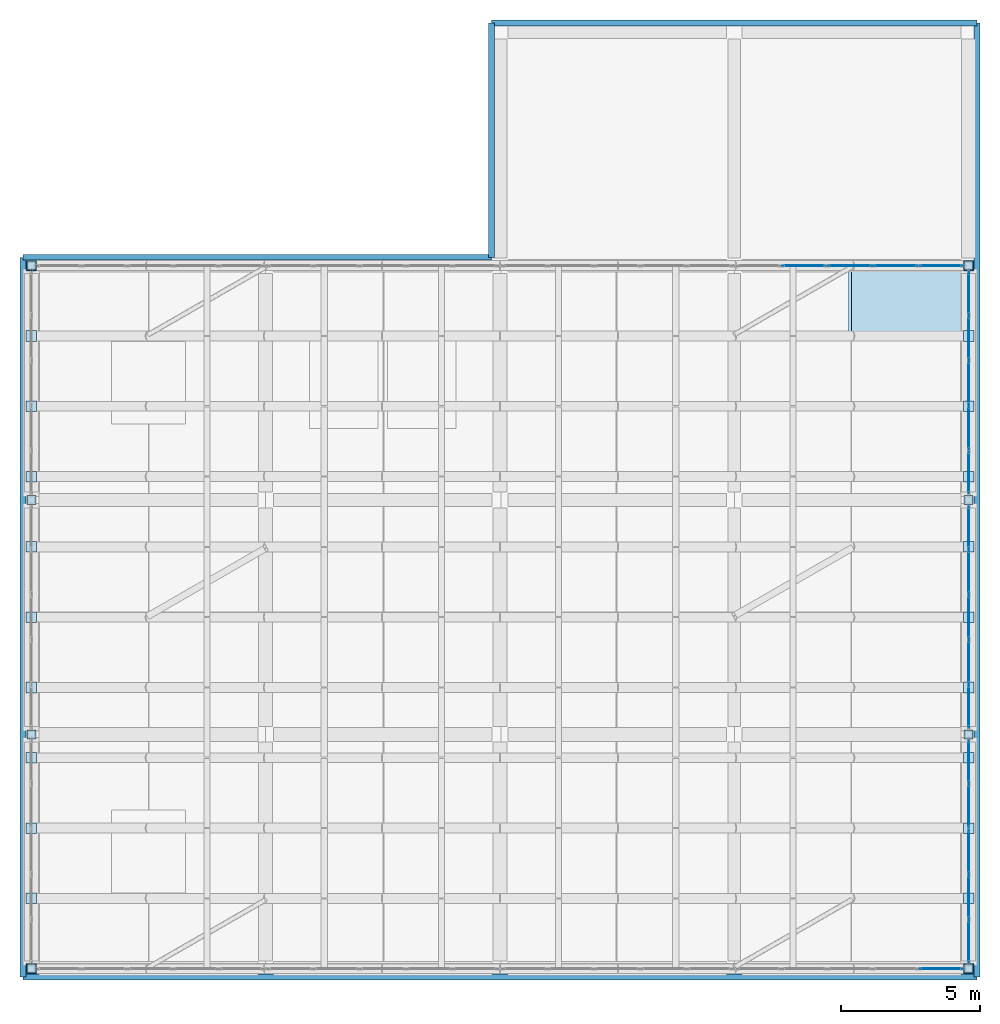
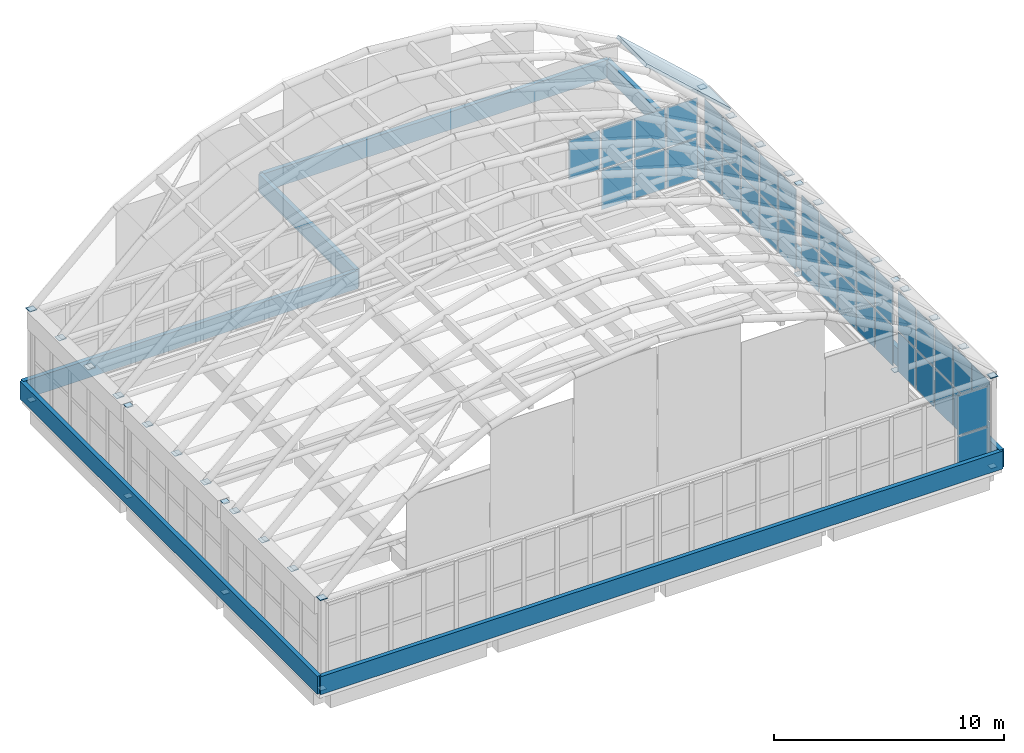
# One storey, part 25 of 26: 77 plates, 6 walls, 1 slab, 5 elements without a shape of their own.
"""IFC4 building model written with IfcOpenShell, lengths in metres."""

from ifc_helpers import new_model, si_unit, direction, frame, frame_2d, origin, origin_2d, place, context, subcontext, project, spatial, polyline, rectangle, outline, extrude, material, layer, layer_set, type_object, element, aggregate, save


model = new_model("IFC4")

# Units and contexts
model_context = context("Model", 3, precision=1e-05, world=origin(), true_north=direction((0.0, 1.0)))
body_context = subcontext(model_context, "Body", "Model", "MODEL_VIEW")
ifc_project = project(units=[si_unit("LENGTHUNIT", "METRE"), si_unit("AREAUNIT", "SQUARE_METRE"), si_unit("VOLUMEUNIT", "CUBIC_METRE"), si_unit("PLANEANGLEUNIT", "RADIAN"), si_unit("MASSUNIT", "GRAM", prefix="KILO")], contexts=[model_context])

# Site, building, storey
site_placement = place(None, origin())
site = spatial("IfcSite", under=ifc_project, at=site_placement, CompositionType="ELEMENT")
building_placement = place(site_placement, origin())
building = spatial("IfcBuilding", under=site, at=building_placement, Name="Xazarin Passage Department Store", CompositionType="ELEMENT")
storey_placement = place(building_placement, frame((0.0, 0.0, 36.89990234375)))
storey = spatial("IfcBuildingStorey", under=building, at=storey_placement, Name="RF", CompositionType="ELEMENT", Elevation=36.89990234375)

# Curtain wall, plates
ifc_material_1 = material(Name="Bronze anodised aluminium", Category="aluminium")
ifc_layer_1 = layer(ifc_material_1, 0.199951171875)
ifc_layer_set_1 = layer_set([ifc_layer_1], Name="Bronze anodised aluminium")
curtain_wall_type = type_object("IfcCurtainWallType", Name="ARC-CW-VIT2", PredefinedType="NOTDEFINED", material=ifc_layer_set_1)
curtain_wall_1_placement = place(storey_placement, origin())
curtain_wall_1 = element("IfcCurtainWall", 1, at=curtain_wall_1_placement, inside=storey, type_object=curtain_wall_type, Name="RF V1 Atrium Lantern Curtain Wall 02", PredefinedType="NOTDEFINED")
ifc_material_2 = material(Name="Low-E laminated safety glass", Category="glass")
ifc_layer_2 = layer(ifc_material_2, 0.031982421875)
ifc_layer_set_2 = layer_set([ifc_layer_2], Name="Low-E laminated safety glass")
plate_type_1 = type_object("IfcPlateType", Name="ARC-CWP-GLZ32", PredefinedType="CURTAIN_PANEL", material=ifc_layer_set_2)
plate_1_placement = place(storey_placement, frame((33.60009765625, 77.38671875, 0.0751953125), z_axis=(0.0, 0.0, 1.0), x_axis=(0.0, 1.0, 0.0)))
plate_1 = element("IfcPlate", 2, at=plate_1_placement, type_object=plate_type_1, Name="CW2 panel 1.1", PredefinedType="CURTAIN_PANEL", context=body_context, shape_type="SweptSolid", body=[
    extrude(rectangle(XDim=1.50341796875, YDim=0.031982421875, at=origin_2d()), origin(), (0.0, 0.0, 1.0), 2.089599609375),
])
plate_2_placement = place(storey_placement, frame((33.60009765625, 77.38671875, 2.23974609375), z_axis=(0.0, 0.0, 1.0), x_axis=(0.0, 1.0, 0.0)))
plate_2 = element("IfcPlate", 3, at=plate_2_placement, type_object=plate_type_1, Name="CW2 panel 1.2", PredefinedType="CURTAIN_PANEL", context=body_context, shape_type="SweptSolid", body=[
    extrude(rectangle(XDim=1.50341796875, YDim=0.031982421875, at=origin_2d()), origin(), (0.0, 0.0, 1.0), 2.089599609375),
])
plate_3_placement = place(storey_placement, frame((33.60009765625, 78.98388671875, 0.0751953125), z_axis=(0.0, 0.0, 1.0), x_axis=(0.0, 1.0, 0.0)))
plate_3 = element("IfcPlate", 4, at=plate_3_placement, type_object=plate_type_1, Name="CW2 panel 2.1", PredefinedType="CURTAIN_PANEL", context=body_context, shape_type="SweptSolid", body=[
    extrude(rectangle(XDim=1.541015625, YDim=0.031982421875, at=origin_2d()), origin(), (0.0, 0.0, 1.0), 2.089599609375),
])
plate_4_placement = place(storey_placement, frame((33.60009765625, 78.98388671875, 2.23974609375), z_axis=(0.0, 0.0, 1.0), x_axis=(0.0, 1.0, 0.0)))
plate_4 = element("IfcPlate", 5, at=plate_4_placement, type_object=plate_type_1, Name="CW2 panel 2.2", PredefinedType="CURTAIN_PANEL", context=body_context, shape_type="SweptSolid", body=[
    extrude(rectangle(XDim=1.541015625, YDim=0.031982421875, at=origin_2d()), origin(), (0.0, 0.0, 1.0), 2.089599609375),
])
plate_5_placement = place(storey_placement, frame((33.60009765625, 80.60009765625, 0.0751953125), z_axis=(0.0, 0.0, 1.0), x_axis=(0.0, 1.0, 0.0)))
plate_5 = element("IfcPlate", 6, at=plate_5_placement, type_object=plate_type_1, Name="CW2 panel 3.1", PredefinedType="CURTAIN_PANEL", context=body_context, shape_type="SweptSolid", body=[
    extrude(rectangle(XDim=1.541015625, YDim=0.031982421875, at=origin_2d()), origin(), (0.0, 0.0, 1.0), 2.089599609375),
])
plate_6_placement = place(storey_placement, frame((33.60009765625, 80.60009765625, 2.23974609375), z_axis=(0.0, 0.0, 1.0), x_axis=(0.0, 1.0, 0.0)))
plate_6 = element("IfcPlate", 7, at=plate_6_placement, type_object=plate_type_1, Name="CW2 panel 3.2", PredefinedType="CURTAIN_PANEL", context=body_context, shape_type="SweptSolid", body=[
    extrude(rectangle(XDim=1.541015625, YDim=0.031982421875, at=origin_2d()), origin(), (0.0, 0.0, 1.0), 2.089599609375),
])
plate_7_placement = place(storey_placement, frame((33.60009765625, 82.216064453125, 0.0751953125), z_axis=(0.0, 0.0, 1.0), x_axis=(0.0, 1.0, 0.0)))
plate_7 = element("IfcPlate", 8, at=plate_7_placement, type_object=plate_type_1, Name="CW2 panel 4.1", PredefinedType="CURTAIN_PANEL", context=body_context, shape_type="SweptSolid", body=[
    extrude(rectangle(XDim=1.541015625, YDim=0.031982421875, at=origin_2d()), origin(), (0.0, 0.0, 1.0), 2.089599609375),
])
plate_8_placement = place(storey_placement, frame((33.60009765625, 82.216064453125, 2.23974609375), z_axis=(0.0, 0.0, 1.0), x_axis=(0.0, 1.0, 0.0)))
plate_8 = element("IfcPlate", 9, at=plate_8_placement, type_object=plate_type_1, Name="CW2 panel 4.2", PredefinedType="CURTAIN_PANEL", context=body_context, shape_type="SweptSolid", body=[
    extrude(rectangle(XDim=1.541015625, YDim=0.031982421875, at=origin_2d()), origin(), (0.0, 0.0, 1.0), 2.089599609375),
])
plate_9_placement = place(storey_placement, frame((33.60009765625, 83.813232421875, 0.0751953125), z_axis=(0.0, 0.0, 1.0), x_axis=(0.0, 1.0, 0.0)))
plate_9 = element("IfcPlate", 10, at=plate_9_placement, type_object=plate_type_1, Name="CW2 panel 5.1", PredefinedType="CURTAIN_PANEL", context=body_context, shape_type="SweptSolid", body=[
    extrude(rectangle(XDim=1.50341796875, YDim=0.031982421875, at=origin_2d()), origin(), (0.0, 0.0, 1.0), 2.089599609375),
])
plate_10_placement = place(storey_placement, frame((33.60009765625, 83.813232421875, 2.23974609375), z_axis=(0.0, 0.0, 1.0), x_axis=(0.0, 1.0, 0.0)))
plate_10 = element("IfcPlate", 11, at=plate_10_placement, type_object=plate_type_1, Name="CW2 panel 5.2", PredefinedType="CURTAIN_PANEL", context=body_context, shape_type="SweptSolid", body=[
    extrude(rectangle(XDim=1.50341796875, YDim=0.031982421875, at=origin_2d()), origin(), (0.0, 0.0, 1.0), 2.089599609375),
])
aggregate(curtain_wall_1, [plate_1, plate_2, plate_3, plate_4, plate_5, plate_6, plate_7, plate_8, plate_9, plate_10])

curtain_wall_2_placement = place(storey_placement, origin())
curtain_wall_2 = element("IfcCurtainWall", 12, at=curtain_wall_2_placement, inside=storey, type_object=curtain_wall_type, Name="RF V1 Atrium Lantern Curtain Wall 04", PredefinedType="NOTDEFINED")
plate_11_placement = place(storey_placement, frame((33.60009765625, 85.786865234375, 0.0751953125), z_axis=(0.0, 0.0, 1.0), x_axis=(0.0, 1.0, 0.0)))
plate_11 = element("IfcPlate", 13, at=plate_11_placement, type_object=plate_type_1, Name="CW2 panel 1.1", PredefinedType="CURTAIN_PANEL", context=body_context, shape_type="SweptSolid", body=[
    extrude(rectangle(XDim=1.50341796875, YDim=0.031982421875, at=origin_2d()), origin(), (0.0, 0.0, 1.0), 2.089599609375),
])
plate_12_placement = place(storey_placement, frame((33.60009765625, 85.786865234375, 2.23974609375), z_axis=(0.0, 0.0, 1.0), x_axis=(0.0, 1.0, 0.0)))
plate_12 = element("IfcPlate", 14, at=plate_12_placement, type_object=plate_type_1, Name="CW2 panel 1.2", PredefinedType="CURTAIN_PANEL", context=body_context, shape_type="SweptSolid", body=[
    extrude(rectangle(XDim=1.50341796875, YDim=0.031982421875, at=origin_2d()), origin(), (0.0, 0.0, 1.0), 2.089599609375),
])
plate_13_placement = place(storey_placement, frame((33.60009765625, 87.384033203125, 0.0751953125), z_axis=(0.0, 0.0, 1.0), x_axis=(0.0, 1.0, 0.0)))
plate_13 = element("IfcPlate", 15, at=plate_13_placement, type_object=plate_type_1, Name="CW2 panel 2.1", PredefinedType="CURTAIN_PANEL", context=body_context, shape_type="SweptSolid", body=[
    extrude(rectangle(XDim=1.541015625, YDim=0.031982421875, at=origin_2d()), origin(), (0.0, 0.0, 1.0), 2.089599609375),
])
plate_14_placement = place(storey_placement, frame((33.60009765625, 87.384033203125, 2.23974609375), z_axis=(0.0, 0.0, 1.0), x_axis=(0.0, 1.0, 0.0)))
plate_14 = element("IfcPlate", 16, at=plate_14_placement, type_object=plate_type_1, Name="CW2 panel 2.2", PredefinedType="CURTAIN_PANEL", context=body_context, shape_type="SweptSolid", body=[
    extrude(rectangle(XDim=1.541015625, YDim=0.031982421875, at=origin_2d()), origin(), (0.0, 0.0, 1.0), 2.089599609375),
])
plate_15_placement = place(storey_placement, frame((33.60009765625, 89.0, 0.0751953125), z_axis=(0.0, 0.0, 1.0), x_axis=(0.0, 1.0, 0.0)))
plate_15 = element("IfcPlate", 17, at=plate_15_placement, type_object=plate_type_1, Name="CW2 panel 3.1", PredefinedType="CURTAIN_PANEL", context=body_context, shape_type="SweptSolid", body=[
    extrude(rectangle(XDim=1.541015625, YDim=0.031982421875, at=origin_2d()), origin(), (0.0, 0.0, 1.0), 2.089599609375),
])
plate_16_placement = place(storey_placement, frame((33.60009765625, 89.0, 2.23974609375), z_axis=(0.0, 0.0, 1.0), x_axis=(0.0, 1.0, 0.0)))
plate_16 = element("IfcPlate", 18, at=plate_16_placement, type_object=plate_type_1, Name="CW2 panel 3.2", PredefinedType="CURTAIN_PANEL", context=body_context, shape_type="SweptSolid", body=[
    extrude(rectangle(XDim=1.541015625, YDim=0.031982421875, at=origin_2d()), origin(), (0.0, 0.0, 1.0), 2.089599609375),
])
plate_17_placement = place(storey_placement, frame((33.60009765625, 90.615966796875, 0.0751953125), z_axis=(0.0, 0.0, 1.0), x_axis=(0.0, 1.0, 0.0)))
plate_17 = element("IfcPlate", 19, at=plate_17_placement, type_object=plate_type_1, Name="CW2 panel 4.1", PredefinedType="CURTAIN_PANEL", context=body_context, shape_type="SweptSolid", body=[
    extrude(rectangle(XDim=1.541015625, YDim=0.031982421875, at=origin_2d()), origin(), (0.0, 0.0, 1.0), 2.089599609375),
])
plate_18_placement = place(storey_placement, frame((33.60009765625, 90.615966796875, 2.23974609375), z_axis=(0.0, 0.0, 1.0), x_axis=(0.0, 1.0, 0.0)))
plate_18 = element("IfcPlate", 20, at=plate_18_placement, type_object=plate_type_1, Name="CW2 panel 4.2", PredefinedType="CURTAIN_PANEL", context=body_context, shape_type="SweptSolid", body=[
    extrude(rectangle(XDim=1.541015625, YDim=0.031982421875, at=origin_2d()), origin(), (0.0, 0.0, 1.0), 2.089599609375),
])
plate_19_placement = place(storey_placement, frame((33.60009765625, 92.213134765625, 0.0751953125), z_axis=(0.0, 0.0, 1.0), x_axis=(0.0, 1.0, 0.0)))
plate_19 = element("IfcPlate", 21, at=plate_19_placement, type_object=plate_type_1, Name="CW2 panel 5.1", PredefinedType="CURTAIN_PANEL", context=body_context, shape_type="SweptSolid", body=[
    extrude(rectangle(XDim=1.50341796875, YDim=0.031982421875, at=origin_2d()), origin(), (0.0, 0.0, 1.0), 2.089599609375),
])
plate_20_placement = place(storey_placement, frame((33.60009765625, 92.213134765625, 2.23974609375), z_axis=(0.0, 0.0, 1.0), x_axis=(0.0, 1.0, 0.0)))
plate_20 = element("IfcPlate", 22, at=plate_20_placement, type_object=plate_type_1, Name="CW2 panel 5.2", PredefinedType="CURTAIN_PANEL", context=body_context, shape_type="SweptSolid", body=[
    extrude(rectangle(XDim=1.50341796875, YDim=0.031982421875, at=origin_2d()), origin(), (0.0, 0.0, 1.0), 2.089599609375),
])
aggregate(curtain_wall_2, [plate_11, plate_12, plate_13, plate_14, plate_15, plate_16, plate_17, plate_18, plate_19, plate_20])

curtain_wall_3_placement = place(storey_placement, origin())
curtain_wall_3 = element("IfcCurtainWall", 23, at=curtain_wall_3_placement, inside=storey, type_object=curtain_wall_type, Name="RF V1 Atrium Lantern Curtain Wall 06", PredefinedType="NOTDEFINED")
plate_21_placement = place(storey_placement, frame((33.60009765625, 94.186767578125, 0.0751953125), z_axis=(0.0, 0.0, 1.0), x_axis=(0.0, 1.0, 0.0)))
plate_21 = element("IfcPlate", 24, at=plate_21_placement, type_object=plate_type_1, Name="CW2 panel 1.1", PredefinedType="CURTAIN_PANEL", context=body_context, shape_type="SweptSolid", body=[
    extrude(rectangle(XDim=1.50341796875, YDim=0.031982421875, at=origin_2d()), origin(), (0.0, 0.0, 1.0), 2.089599609375),
])
plate_22_placement = place(storey_placement, frame((33.60009765625, 94.186767578125, 2.23974609375), z_axis=(0.0, 0.0, 1.0), x_axis=(0.0, 1.0, 0.0)))
plate_22 = element("IfcPlate", 25, at=plate_22_placement, type_object=plate_type_1, Name="CW2 panel 1.2", PredefinedType="CURTAIN_PANEL", context=body_context, shape_type="SweptSolid", body=[
    extrude(rectangle(XDim=1.50341796875, YDim=0.031982421875, at=origin_2d()), origin(), (0.0, 0.0, 1.0), 2.089599609375),
])
plate_23_placement = place(storey_placement, frame((33.60009765625, 95.783935546875, 0.0751953125), z_axis=(0.0, 0.0, 1.0), x_axis=(0.0, 1.0, 0.0)))
plate_23 = element("IfcPlate", 26, at=plate_23_placement, type_object=plate_type_1, Name="CW2 panel 2.1", PredefinedType="CURTAIN_PANEL", context=body_context, shape_type="SweptSolid", body=[
    extrude(rectangle(XDim=1.541015625, YDim=0.031982421875, at=origin_2d()), origin(), (0.0, 0.0, 1.0), 2.089599609375),
])
plate_24_placement = place(storey_placement, frame((33.60009765625, 95.783935546875, 2.23974609375), z_axis=(0.0, 0.0, 1.0), x_axis=(0.0, 1.0, 0.0)))
plate_24 = element("IfcPlate", 27, at=plate_24_placement, type_object=plate_type_1, Name="CW2 panel 2.2", PredefinedType="CURTAIN_PANEL", context=body_context, shape_type="SweptSolid", body=[
    extrude(rectangle(XDim=1.541015625, YDim=0.031982421875, at=origin_2d()), origin(), (0.0, 0.0, 1.0), 2.089599609375),
])
plate_25_placement = place(storey_placement, frame((33.60009765625, 97.39990234375, 0.0751953125), z_axis=(0.0, 0.0, 1.0), x_axis=(0.0, 1.0, 0.0)))
plate_25 = element("IfcPlate", 28, at=plate_25_placement, type_object=plate_type_1, Name="CW2 panel 3.1", PredefinedType="CURTAIN_PANEL", context=body_context, shape_type="SweptSolid", body=[
    extrude(rectangle(XDim=1.541015625, YDim=0.031982421875, at=origin_2d()), origin(), (0.0, 0.0, 1.0), 2.089599609375),
])
plate_26_placement = place(storey_placement, frame((33.60009765625, 97.39990234375, 2.23974609375), z_axis=(0.0, 0.0, 1.0), x_axis=(0.0, 1.0, 0.0)))
plate_26 = element("IfcPlate", 29, at=plate_26_placement, type_object=plate_type_1, Name="CW2 panel 3.2", PredefinedType="CURTAIN_PANEL", context=body_context, shape_type="SweptSolid", body=[
    extrude(rectangle(XDim=1.541015625, YDim=0.031982421875, at=origin_2d()), origin(), (0.0, 0.0, 1.0), 2.089599609375),
])
plate_27_placement = place(storey_placement, frame((33.60009765625, 99.01611328125, 0.0751953125), z_axis=(0.0, 0.0, 1.0), x_axis=(0.0, 1.0, 0.0)))
plate_27 = element("IfcPlate", 30, at=plate_27_placement, type_object=plate_type_1, Name="CW2 panel 4.1", PredefinedType="CURTAIN_PANEL", context=body_context, shape_type="SweptSolid", body=[
    extrude(rectangle(XDim=1.541015625, YDim=0.031982421875, at=origin_2d()), origin(), (0.0, 0.0, 1.0), 2.089599609375),
])
plate_28_placement = place(storey_placement, frame((33.60009765625, 99.01611328125, 2.23974609375), z_axis=(0.0, 0.0, 1.0), x_axis=(0.0, 1.0, 0.0)))
plate_28 = element("IfcPlate", 31, at=plate_28_placement, type_object=plate_type_1, Name="CW2 panel 4.2", PredefinedType="CURTAIN_PANEL", context=body_context, shape_type="SweptSolid", body=[
    extrude(rectangle(XDim=1.541015625, YDim=0.031982421875, at=origin_2d()), origin(), (0.0, 0.0, 1.0), 2.089599609375),
])
plate_29_placement = place(storey_placement, frame((33.60009765625, 100.61328125, 0.0751953125), z_axis=(0.0, 0.0, 1.0), x_axis=(0.0, 1.0, 0.0)))
plate_29 = element("IfcPlate", 32, at=plate_29_placement, type_object=plate_type_1, Name="CW2 panel 5.1", PredefinedType="CURTAIN_PANEL", context=body_context, shape_type="SweptSolid", body=[
    extrude(rectangle(XDim=1.50341796875, YDim=0.031982421875, at=origin_2d()), origin(), (0.0, 0.0, 1.0), 2.089599609375),
])
plate_30_placement = place(storey_placement, frame((33.60009765625, 100.61328125, 2.23974609375), z_axis=(0.0, 0.0, 1.0), x_axis=(0.0, 1.0, 0.0)))
plate_30 = element("IfcPlate", 33, at=plate_30_placement, type_object=plate_type_1, Name="CW2 panel 5.2", PredefinedType="CURTAIN_PANEL", context=body_context, shape_type="SweptSolid", body=[
    extrude(rectangle(XDim=1.50341796875, YDim=0.031982421875, at=origin_2d()), origin(), (0.0, 0.0, 1.0), 2.089599609375),
])
aggregate(curtain_wall_3, [plate_21, plate_22, plate_23, plate_24, plate_25, plate_26, plate_27, plate_28, plate_29, plate_30])

curtain_wall_4_placement = place(storey_placement, origin())
curtain_wall_4 = element("IfcCurtainWall", 34, at=curtain_wall_4_placement, inside=storey, type_object=curtain_wall_type, Name="RF V1 Atrium Lantern Curtain Wall 13", PredefinedType="NOTDEFINED")
plate_31_placement = place(storey_placement, frame((32.601318359375, 76.39990234375, 0.0751953125), z_axis=(0.0, 0.0, 1.0), x_axis=(1.0, 0.0, 0.0)))
plate_31 = element("IfcPlate", 35, at=plate_31_placement, type_object=plate_type_1, Name="CW2 panel 5.1", PredefinedType="CURTAIN_PANEL", context=body_context, shape_type="SweptSolid", body=[
    extrude(rectangle(XDim=1.527587890625, YDim=0.031982421875, at=origin_2d()), origin(), (0.0, 0.0, 1.0), 2.089599609375),
])
plate_32_placement = place(storey_placement, frame((32.601318359375, 76.39990234375, 2.23974609375), z_axis=(0.0, 0.0, 1.0), x_axis=(1.0, 0.0, 0.0)))
plate_32 = element("IfcPlate", 36, at=plate_32_placement, type_object=plate_type_1, Name="CW2 panel 5.2", PredefinedType="CURTAIN_PANEL", context=body_context, shape_type="SweptSolid", body=[
    extrude(rectangle(XDim=1.527587890625, YDim=0.031982421875, at=origin_2d()), origin(), (0.0, 0.0, 1.0), 2.089599609375),
])
aggregate(curtain_wall_4, [plate_31, plate_32])

curtain_wall_5_placement = place(storey_placement, origin())
curtain_wall_5 = element("IfcCurtainWall", 37, at=curtain_wall_5_placement, inside=storey, type_object=curtain_wall_type, Name="RF V1 Atrium Lantern Curtain Wall 14", PredefinedType="NOTDEFINED")
plate_33_placement = place(storey_placement, frame((27.699951171875, 101.60009765625, 2.23974609375), z_axis=(0.0, 0.0, 1.0), x_axis=(1.0, 0.0, 0.0)))
plate_33 = element("IfcPlate", 38, at=plate_33_placement, type_object=plate_type_1, Name="CW2 panel 2.2", PredefinedType="CURTAIN_PANEL", context=body_context, shape_type="SweptSolid", body=[
    extrude(rectangle(XDim=1.56494140625, YDim=0.031982421875, at=origin_2d()), origin(), (0.0, 0.0, 1.0), 2.089599609375),
])
plate_34_placement = place(storey_placement, frame((29.340087890625, 101.60009765625, 0.0751953125), z_axis=(0.0, 0.0, 1.0), x_axis=(1.0, 0.0, 0.0)))
plate_34 = element("IfcPlate", 39, at=plate_34_placement, type_object=plate_type_1, Name="CW2 panel 3.1", PredefinedType="CURTAIN_PANEL", context=body_context, shape_type="SweptSolid", body=[
    extrude(rectangle(XDim=1.56494140625, YDim=0.031982421875, at=origin_2d()), origin(), (0.0, 0.0, 1.0), 2.089599609375),
])
plate_35_placement = place(storey_placement, frame((29.340087890625, 101.60009765625, 2.23974609375), z_axis=(0.0, 0.0, 1.0), x_axis=(1.0, 0.0, 0.0)))
plate_35 = element("IfcPlate", 40, at=plate_35_placement, type_object=plate_type_1, Name="CW2 panel 3.2", PredefinedType="CURTAIN_PANEL", context=body_context, shape_type="SweptSolid", body=[
    extrude(rectangle(XDim=1.56494140625, YDim=0.031982421875, at=origin_2d()), origin(), (0.0, 0.0, 1.0), 2.089599609375),
])
plate_36_placement = place(storey_placement, frame((30.97998046875, 101.60009765625, 0.0751953125), z_axis=(0.0, 0.0, 1.0), x_axis=(1.0, 0.0, 0.0)))
plate_36 = element("IfcPlate", 41, at=plate_36_placement, type_object=plate_type_1, Name="CW2 panel 4.1", PredefinedType="CURTAIN_PANEL", context=body_context, shape_type="SweptSolid", body=[
    extrude(rectangle(XDim=1.56494140625, YDim=0.031982421875, at=origin_2d()), origin(), (0.0, 0.0, 1.0), 2.089599609375),
])
plate_37_placement = place(storey_placement, frame((30.97998046875, 101.60009765625, 2.23974609375), z_axis=(0.0, 0.0, 1.0), x_axis=(1.0, 0.0, 0.0)))
plate_37 = element("IfcPlate", 42, at=plate_37_placement, type_object=plate_type_1, Name="CW2 panel 4.2", PredefinedType="CURTAIN_PANEL", context=body_context, shape_type="SweptSolid", body=[
    extrude(rectangle(XDim=1.56494140625, YDim=0.031982421875, at=origin_2d()), origin(), (0.0, 0.0, 1.0), 2.089599609375),
])
plate_38_placement = place(storey_placement, frame((32.601318359375, 101.60009765625, 0.0751953125), z_axis=(0.0, 0.0, 1.0), x_axis=(1.0, 0.0, 0.0)))
plate_38 = element("IfcPlate", 43, at=plate_38_placement, type_object=plate_type_1, Name="CW2 panel 5.1", PredefinedType="CURTAIN_PANEL", context=body_context, shape_type="SweptSolid", body=[
    extrude(rectangle(XDim=1.527587890625, YDim=0.031982421875, at=origin_2d()), origin(), (0.0, 0.0, 1.0), 2.089599609375),
])
plate_39_placement = place(storey_placement, frame((32.601318359375, 101.60009765625, 2.23974609375), z_axis=(0.0, 0.0, 1.0), x_axis=(1.0, 0.0, 0.0)))
plate_39 = element("IfcPlate", 44, at=plate_39_placement, type_object=plate_type_1, Name="CW2 panel 5.2", PredefinedType="CURTAIN_PANEL", context=body_context, shape_type="SweptSolid", body=[
    extrude(rectangle(XDim=1.527587890625, YDim=0.031982421875, at=origin_2d()), origin(), (0.0, 0.0, 1.0), 2.089599609375),
])
aggregate(curtain_wall_5, [plate_33, plate_34, plate_35, plate_36, plate_37, plate_38, plate_39])

# Plates
ifc_material_3 = material(Name="Steel S355", Category="steel")
ifc_layer_3 = layer(ifc_material_3, 0.02001953125)
ifc_layer_set_3 = layer_set([ifc_layer_3], Name="Steel S355")
plate_type_2 = type_object("IfcPlateType", Name="STR-PLT-CAP20", PredefinedType="USERDEFINED", material=ifc_layer_set_3)
for number, where, z_axis, x_axis, name in (
    (45, (0.0, 76.39990234375, -0.01611328125), (0.0, 0.0, 1.0), (1.0, 0.0, 0.0), "V1V Drum Column End Cap W-1-B"),
    (46, (0.0, 76.39990234375, 4.7880859375), (0.0, 0.0, 1.0), (1.0, 0.0, 0.0), "V1V Drum Column End Cap W-1-T"),
    (47, (33.60009765625, 76.39990234375, -0.01611328125), (0.0, 0.0, 1.0), (1.0, 0.0, 0.0), "V1V Drum Column End Cap E-1-B"),
    (48, (33.60009765625, 76.39990234375, 4.7880859375), (0.0, 0.0, 1.0), (1.0, 0.0, 0.0), "V1V Drum Column End Cap E-1-T"),
    (49, (0.0, 84.800048828125, -0.01611328125), (0.0, 0.0, 1.0), (1.0, 0.0, 0.0), "V1V Drum Column End Cap W-2-B"),
    (50, (0.0, 84.800048828125, 4.7880859375), (0.0, 0.0, 1.0), (1.0, 0.0, 0.0), "V1V Drum Column End Cap W-2-T"),
    (51, (33.60009765625, 84.800048828125, -0.01611328125), (0.0, 0.0, 1.0), (1.0, 0.0, 0.0), "V1V Drum Column End Cap E-2-B"),
    (52, (33.60009765625, 84.800048828125, 4.7880859375), (0.0, 0.0, 1.0), (1.0, 0.0, 0.0), "V1V Drum Column End Cap E-2-T"),
    (53, (0.0, 93.199951171875, -0.01611328125), (0.0, 0.0, 1.0), (1.0, 0.0, 0.0), "V1V Drum Column End Cap W-3-B"),
    (54, (0.0, 93.199951171875, 4.7880859375), (0.0, 0.0, 1.0), (1.0, 0.0, 0.0), "V1V Drum Column End Cap W-3-T"),
    (55, (33.60009765625, 93.199951171875, -0.01611328125), (0.0, 0.0, 1.0), (1.0, 0.0, 0.0), "V1V Drum Column End Cap E-3-B"),
    (56, (33.60009765625, 93.199951171875, 4.7880859375), (0.0, 0.0, 1.0), (1.0, 0.0, 0.0), "V1V Drum Column End Cap E-3-T"),
    (57, (0.0, 101.60009765625, -0.01611328125), (0.0, 0.0, 1.0), (1.0, 0.0, 0.0), "V1V Drum Column End Cap W-4-B"),
    (58, (0.0, 101.60009765625, 4.7880859375), (0.0, 0.0, 1.0), (1.0, 0.0, 0.0), "V1V Drum Column End Cap W-4-T"),
    (59, (33.60009765625, 101.60009765625, -0.01611328125), (0.0, 0.0, 1.0), (1.0, 0.0, 0.0), "V1V Drum Column End Cap E-4-B"),
    (60, (33.60009765625, 101.60009765625, 4.7880859375), (0.0, 0.0, 1.0), (1.0, 0.0, 0.0), "V1V Drum Column End Cap E-4-T"),
):
    element("IfcPlate", number, at=place(storey_placement, frame(where, z_axis=z_axis, x_axis=x_axis)), inside=storey, type_object=plate_type_2, Name=name, ObjectType="GUSSET PLATE", PredefinedType="USERDEFINED", context=body_context, shape_type="SweptSolid", body=[
        extrude(rectangle(XDim=0.320068359375, YDim=0.320068359375, at=origin_2d()), origin(), (0.0, 0.0, 1.0), 0.031982421875),
    ])
for number, where, z_axis, x_axis, name in (
    (61, (0.0, 76.39990234375, 4.804443359375), (0.0, 0.0, 1.0), (1.0, 0.0, 0.0), "V1V Arch Springing Cap Plate W-1"),
    (62, (33.60009765625, 76.39990234375, 4.804443359375), (0.0, 0.0, 1.0), (1.0, 0.0, 0.0), "V1V Arch Springing Cap Plate E-1"),
    (63, (0.0, 78.919921875, 4.804443359375), (0.0, 0.0, 1.0), (1.0, 0.0, 0.0), "V1V Arch Springing Cap Plate W-2"),
    (64, (33.60009765625, 78.919921875, 4.804443359375), (0.0, 0.0, 1.0), (1.0, 0.0, 0.0), "V1V Arch Springing Cap Plate E-2"),
    (65, (0.0, 81.43994140625, 4.804443359375), (0.0, 0.0, 1.0), (1.0, 0.0, 0.0), "V1V Arch Springing Cap Plate W-3"),
    (66, (33.60009765625, 81.43994140625, 4.804443359375), (0.0, 0.0, 1.0), (1.0, 0.0, 0.0), "V1V Arch Springing Cap Plate E-3"),
    (67, (0.0, 83.9599609375, 4.804443359375), (0.0, 0.0, 1.0), (1.0, 0.0, 0.0), "V1V Arch Springing Cap Plate W-4"),
    (68, (33.60009765625, 83.9599609375, 4.804443359375), (0.0, 0.0, 1.0), (1.0, 0.0, 0.0), "V1V Arch Springing Cap Plate E-4"),
    (69, (0.0, 86.47998046875, 4.804443359375), (0.0, 0.0, 1.0), (1.0, 0.0, 0.0), "V1V Arch Springing Cap Plate W-5"),
    (70, (33.60009765625, 86.47998046875, 4.804443359375), (0.0, 0.0, 1.0), (1.0, 0.0, 0.0), "V1V Arch Springing Cap Plate E-5"),
    (71, (0.0, 89.0, 4.804443359375), (0.0, 0.0, 1.0), (1.0, 0.0, 0.0), "V1V Arch Springing Cap Plate W-6"),
    (72, (33.60009765625, 89.0, 4.804443359375), (0.0, 0.0, 1.0), (1.0, 0.0, 0.0), "V1V Arch Springing Cap Plate E-6"),
    (73, (0.0, 91.52001953125, 4.804443359375), (0.0, 0.0, 1.0), (1.0, 0.0, 0.0), "V1V Arch Springing Cap Plate W-7"),
    (74, (33.60009765625, 91.52001953125, 4.804443359375), (0.0, 0.0, 1.0), (1.0, 0.0, 0.0), "V1V Arch Springing Cap Plate E-7"),
    (75, (0.0, 94.0400390625, 4.804443359375), (0.0, 0.0, 1.0), (1.0, 0.0, 0.0), "V1V Arch Springing Cap Plate W-8"),
    (76, (33.60009765625, 94.0400390625, 4.804443359375), (0.0, 0.0, 1.0), (1.0, 0.0, 0.0), "V1V Arch Springing Cap Plate E-8"),
    (77, (0.0, 96.56005859375, 4.804443359375), (0.0, 0.0, 1.0), (1.0, 0.0, 0.0), "V1V Arch Springing Cap Plate W-9"),
    (78, (33.60009765625, 96.56005859375, 4.804443359375), (0.0, 0.0, 1.0), (1.0, 0.0, 0.0), "V1V Arch Springing Cap Plate E-9"),
    (79, (0.0, 99.080078125, 4.804443359375), (0.0, 0.0, 1.0), (1.0, 0.0, 0.0), "V1V Arch Springing Cap Plate W-10"),
    (80, (33.60009765625, 99.080078125, 4.804443359375), (0.0, 0.0, 1.0), (1.0, 0.0, 0.0), "V1V Arch Springing Cap Plate E-10"),
    (81, (0.0, 101.60009765625, 4.804443359375), (0.0, 0.0, 1.0), (1.0, 0.0, 0.0), "V1V Arch Springing Cap Plate W-11"),
    (82, (33.60009765625, 101.60009765625, 4.804443359375), (0.0, 0.0, 1.0), (1.0, 0.0, 0.0), "V1V Arch Springing Cap Plate E-11"),
):
    element("IfcPlate", number, at=place(storey_placement, frame(where, z_axis=z_axis, x_axis=x_axis)), inside=storey, type_object=plate_type_2, Name=name, ObjectType="GUSSET PLATE", PredefinedType="USERDEFINED", context=body_context, shape_type="SweptSolid", body=[
        extrude(rectangle(XDim=0.3798828125, YDim=0.3798828125, at=origin_2d()), origin(), (0.0, 0.0, 1.0), 0.02392578125),
    ])

# Slab
ifc_material_4 = material(Name="Concrete C40/50", Category="concrete")
ifc_layer_4 = layer(ifc_material_4, 0.239990234375)
ifc_layer_set_4 = layer_set([ifc_layer_4], Name="Concrete C40/50")
slab_type = type_object("IfcSlabType", Name="STR-SLB-SHL240", PredefinedType="ROOF", material=ifc_layer_set_4)
slab_placement = place(storey_placement, frame((29.39990234375, 99.080078125, 9.03076171875), z_axis=(0.673800762597, 0.0, 0.738913074944), x_axis=(0.738913074944, 0.0, -0.673800762597)))
element("IfcSlab", 83, at=slab_placement, inside=storey, type_object=slab_type, Name="V1V Vaulted Roof Deck Facet 10.8", PredefinedType="ROOF", context=body_context, shape_type="SweptSolid", body=[
    extrude(outline(polyline([(0.0, 0.0), (5.68428879515727, 0.0), (5.68428879515727, 2.52001953125), (0.0, 2.52001953125), (0.0, 0.0)])), origin(), (0.0, 0.0, -1.0), 0.159912109375),
])

# Walls
ifc_material_5 = material(Name="Precast concrete C40/50", Category="concrete")
ifc_layer_5 = layer(ifc_material_5, 0.2099609375)
ifc_layer_set_5 = layer_set([ifc_layer_5], Name="Precast concrete C40/50")
wall_type = type_object("IfcWallType", Name="ARC-W-PAR210", PredefinedType="PARAPET", material=ifc_layer_set_5)
wall_1_placement = place(storey_placement, frame((33.89990234375, 110.300048828125, 0.0), z_axis=(0.0, 0.0, 1.0), x_axis=(-1.0, 0.0, 0.0)))
element("IfcWall", 84, at=wall_1_placement, inside=storey, type_object=wall_type, Name="RF Roof Parapet 029", PredefinedType="PARAPET", context=body_context, shape_type="SweptSolid", body=[
    extrude(rectangle(XDim=17.39990234375, YDim=0.2099609375, at=frame_2d((8.699951171875, 0.0))), origin(), (0.0, 0.0, 1.0), 0.9501953125),
])
wall_2_placement = place(storey_placement, frame((16.5, 110.300048828125, 0.0), z_axis=(0.0, 0.0, 1.0), x_axis=(0.0, -1.0, 0.0)))
element("IfcWall", 85, at=wall_2_placement, inside=storey, type_object=wall_type, Name="RF Roof Parapet 030", PredefinedType="PARAPET", context=body_context, shape_type="SweptSolid", body=[
    extrude(rectangle(XDim=8.400146484375, YDim=0.2099609375, at=frame_2d((4.2001953125, 0.0))), origin(), (0.0, 0.0, 1.0), 0.9501953125),
])
wall_3_placement = place(storey_placement, frame((16.5, 101.89990234375, 0.0), z_axis=(0.0, 0.0, 1.0), x_axis=(-1.0, 0.0, 0.0)))
element("IfcWall", 86, at=wall_3_placement, inside=storey, type_object=wall_type, Name="RF Roof Parapet 031", PredefinedType="PARAPET", context=body_context, shape_type="SweptSolid", body=[
    extrude(rectangle(XDim=16.800048828125, YDim=0.2099609375, at=frame_2d((8.39990234375, 0.0))), origin(), (0.0, 0.0, 1.0), 0.9501953125),
])
wall_4_placement = place(storey_placement, frame((-0.300048828125, 101.89990234375, 0.0), z_axis=(0.0, 0.0, 1.0), x_axis=(0.0, -1.0, 0.0)))
element("IfcWall", 87, at=wall_4_placement, inside=storey, type_object=wall_type, Name="RF Roof Parapet 032", PredefinedType="PARAPET", context=body_context, shape_type="SweptSolid", body=[
    extrude(rectangle(XDim=25.7998046875, YDim=0.2099609375, at=frame_2d((12.89990234375, 0.0))), origin(), (0.0, 0.0, 1.0), 0.9501953125),
])
for number, where, z_axis, x_axis, name in (
    (88, (-0.300048828125, 76.10009765625, 0.0), (0.0, 0.0, 1.0), (1.0, 0.0, 0.0), "RF Roof Parapet 033"),
    (89, (33.89990234375, 76.10009765625, 0.0), (0.0, 0.0, 1.0), (0.0, 1.0, 0.0), "RF Roof Parapet 034"),
):
    element("IfcWall", number, at=place(storey_placement, frame(where, z_axis=z_axis, x_axis=x_axis)), inside=storey, type_object=wall_type, Name=name, PredefinedType="PARAPET", context=body_context, shape_type="SweptSolid", body=[
        extrude(rectangle(XDim=34.199951171875, YDim=0.2099609375, at=frame_2d((17.10009765625, 0.0))), origin(), (0.0, 0.0, 1.0), 0.9501953125),
    ])

save(model, "model.ifc")
